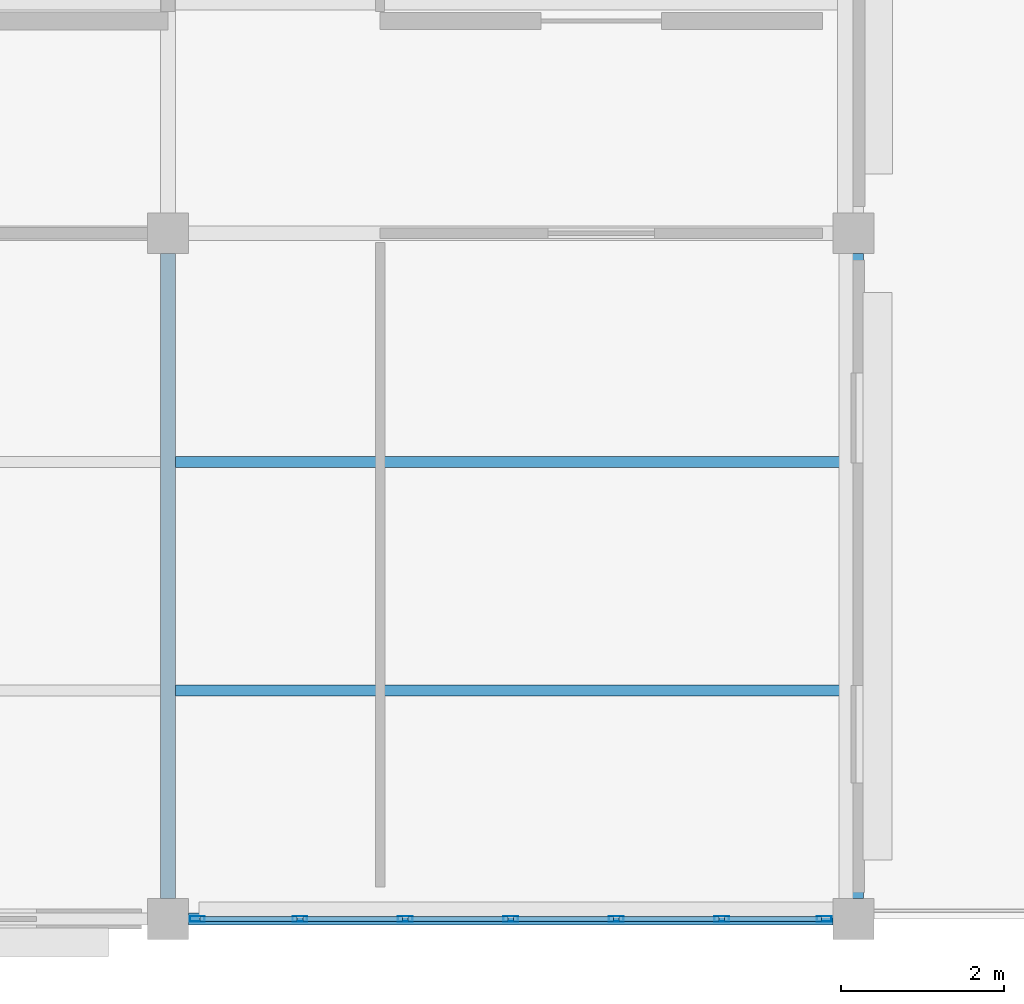
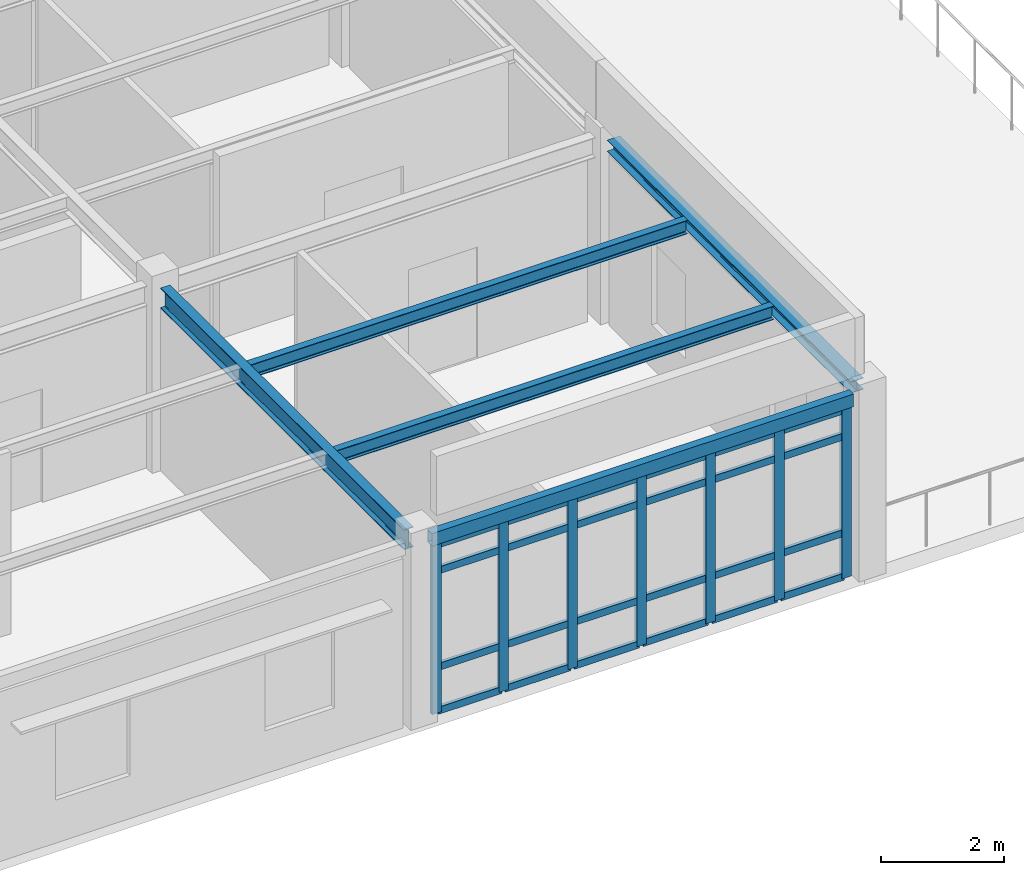
# One storey, part 6 of 53: 31 members, 5 beams, 1 element without a shape of its own.
"""IFC4 building model written with IfcOpenShell, lengths in metres."""

from ifc_helpers import new_model, si_unit, direction, frame, origin, origin_2d, place, context, subcontext, project, spatial, hollow_rectangle, i_section, extrude, material, layer, layer_set, material_profile, profile_set, type_object, element, aggregate, save


model = new_model("IFC4")

# Units and contexts
model_context = context("Model", 3, precision=1e-05, world=origin(), true_north=direction((0.0, 1.0)))
body_context = subcontext(model_context, "Body", "Model", "MODEL_VIEW")
ifc_project = project(units=[si_unit("LENGTHUNIT", "METRE"), si_unit("AREAUNIT", "SQUARE_METRE"), si_unit("VOLUMEUNIT", "CUBIC_METRE"), si_unit("PLANEANGLEUNIT", "RADIAN"), si_unit("MASSUNIT", "GRAM", prefix="KILO")], contexts=[model_context])

# Site, building, storey
site_placement = place(None, origin())
site = spatial("IfcSite", under=ifc_project, at=site_placement, CompositionType="ELEMENT")
building_placement = place(site_placement, origin())
building = spatial("IfcBuilding", under=site, at=building_placement, Name="Bramfleet General Hospital", CompositionType="ELEMENT")
storey_placement = place(building_placement, frame((0.0, 0.0, 26.39990234375)))
storey = spatial("IfcBuildingStorey", under=building, at=storey_placement, Name="L06", CompositionType="ELEMENT", Elevation=26.39990234375)

# Beams
ifc_material_1 = material(Name="Steel S355", Category="steel")
ifc_material_profile_1 = material_profile(ifc_material_1, i_section(OverallWidth=0.239990234375, OverallDepth=0.22998046875, WebThickness=0.007568359375, FlangeThickness=0.011962890625, FilletRadius=0.02099609375, at=origin_2d()), Name="HEA 240")
ifc_profile_set_1 = profile_set([ifc_material_profile_1], Name="Steel S355")
beam_type_1 = type_object("IfcBeamType", Name="BM-HEA240", PredefinedType="SPANDREL", material=ifc_profile_set_1)
beam_1_placement = place(storey_placement, frame((142.800048828125, 0.25, 3.505126953125), z_axis=(0.0, 1.0, 0.0), x_axis=(-1.0, 0.0, 0.0)))
element("IfcBeam", 1, at=beam_1_placement, inside=storey, type_object=beam_type_1, Name="L06 Grid Beam Y 17-00", PredefinedType="SPANDREL", context=body_context, shape_type="SweptSolid", body=[
    extrude(i_section(OverallWidth=0.239990234375, OverallDepth=0.22998046875, WebThickness=0.007568359375, FlangeThickness=0.011962890625, FilletRadius=0.02099609375, at=origin_2d()), origin(), (0.0, 0.0, 1.0), 7.89990234375),
])
ifc_material_profile_2 = material_profile(ifc_material_1, i_section(OverallWidth=0.135009765625, OverallDepth=0.27001953125, WebThickness=0.006591796875, FlangeThickness=0.01025390625, FilletRadius=0.014892578125, at=origin_2d()), Name="IPE 270")
ifc_profile_set_2 = profile_set([ifc_material_profile_2], Name="Steel S355")
beam_type_2 = type_object("IfcBeamType", Name="BM-IPE270", PredefinedType="JOIST", material=ifc_profile_set_2)
for number, where, z_axis, x_axis, name in (
    (2, (134.489990234375, 2.800048828125, 3.485107421875), (1.0, 0.0, 0.0), (0.0, 1.0, 0.0), "L06 Secondary Joist 16-00-1"),
    (3, (134.489990234375, 5.60009765625, 3.485107421875), (1.0, 0.0, 0.0), (0.0, 1.0, 0.0), "L06 Secondary Joist 16-00-2"),
):
    element("IfcBeam", number, at=place(storey_placement, frame(where, z_axis=z_axis, x_axis=x_axis)), inside=storey, type_object=beam_type_2, Name=name, PredefinedType="JOIST", context=body_context, shape_type="SweptSolid", body=[
        extrude(i_section(OverallWidth=0.135009765625, OverallDepth=0.27001953125, WebThickness=0.006591796875, FlangeThickness=0.01025390625, FilletRadius=0.014892578125, at=origin_2d()), origin(), (0.0, 0.0, 1.0), 8.18994140625),
    ])
ifc_material_profile_3 = material_profile(ifc_material_1, i_section(OverallWidth=0.179931640625, OverallDepth=0.39990234375, WebThickness=0.008544921875, FlangeThickness=0.013427734375, FilletRadius=0.02099609375, at=origin_2d()), Name="IPE 400")
ifc_profile_set_3 = profile_set([ifc_material_profile_3], Name="Steel S355")
beam_type_3 = type_object("IfcBeamType", Name="BM-IPE400", PredefinedType="BEAM", material=ifc_profile_set_3)
beam_2_placement = place(storey_placement, frame((134.39990234375, 0.25, 3.420166015625), z_axis=(0.0, 1.0, 0.0), x_axis=(-1.0, 0.0, 0.0)))
element("IfcBeam", 4, at=beam_2_placement, inside=storey, type_object=beam_type_3, Name="L06 Grid Beam Y 16-00", PredefinedType="BEAM", context=body_context, shape_type="SweptSolid", body=[
    extrude(i_section(OverallWidth=0.179931640625, OverallDepth=0.39990234375, WebThickness=0.008544921875, FlangeThickness=0.013427734375, FilletRadius=0.02099609375, at=origin_2d()), origin(), (0.0, 0.0, 1.0), 7.89990234375),
])
ifc_material_profile_4 = material_profile(ifc_material_1, hollow_rectangle(XDim=0.14990234375, YDim=0.25, WallThickness=0.010009765625, at=origin_2d()), Name="RHS 250x150x10.0")
ifc_profile_set_4 = profile_set([ifc_material_profile_4], Name="Steel S355")
beam_type_4 = type_object("IfcBeamType", Name="BM-RHS250", PredefinedType="SPANDREL", material=ifc_profile_set_4)
beam_3_placement = place(storey_placement, frame((134.64990234375, 0.0, 3.4951171875), z_axis=(1.0, 0.0, 0.0), x_axis=(0.0, 1.0, 0.0)))
element("IfcBeam", 5, at=beam_3_placement, inside=storey, type_object=beam_type_4, Name="L06 Grid Beam X 16-00", PredefinedType="SPANDREL", context=body_context, shape_type="SweptSolid", body=[
    extrude(hollow_rectangle(XDim=0.14990234375, YDim=0.25, WallThickness=0.010009765625, at=origin_2d()), origin(), (0.0, 0.0, 1.0), 7.900146484375),
])

# Curtain wall, members
ifc_material_2 = material(Name="Anodised aluminium and low-E triple glazing", Category="aluminium")
ifc_layer = layer(ifc_material_2, 0.179931640625, Name="CWT-CW-04")
ifc_layer_set = layer_set([ifc_layer], Name="Anodised aluminium and low-E triple glazing")
curtain_wall_type = type_object("IfcCurtainWallType", Name="CWT-CW-04", PredefinedType="USERDEFINED", material=ifc_layer_set)
curtain_wall_placement = place(storey_placement, origin())
curtain_wall = element("IfcCurtainWall", 6, at=curtain_wall_placement, inside=storey, type_object=curtain_wall_type, Name="L06 Curtain Wall 220", ObjectType="Unitised curtain wall", PredefinedType="USERDEFINED")
ifc_material_3 = material(Name="Anodised aluminium EN AW-6060", Category="aluminium")
ifc_material_profile_5 = material_profile(ifc_material_3, hollow_rectangle(XDim=0.070068359375, YDim=0.179931640625, WallThickness=0.00390625, at=origin_2d()), Name="ALU 180x70x4.0")
ifc_profile_set_5 = profile_set([ifc_material_profile_5], Name="Anodised aluminium EN AW-6060")
member_type_1 = type_object("IfcMemberType", Name="CWM-ALU180", PredefinedType="MULLION", material=ifc_profile_set_5)
member_1_placement = place(storey_placement, frame((142.43994140625, 0.0, 0.0), z_axis=(0.0, 0.0, 1.0), x_axis=(0.0, -1.0, 0.0)))
member_1 = element("IfcMember", 7, at=member_1_placement, type_object=member_type_1, Name="CW-04 mullion 1", PredefinedType="MULLION", context=body_context, shape_type="SweptSolid", body=[
    extrude(hollow_rectangle(XDim=0.070068359375, YDim=0.179931640625, WallThickness=0.00390625, at=origin_2d()), origin(), (0.0, 0.0, 1.0), 3.360107421875),
])
member_2_placement = place(storey_placement, frame((141.183349609375, 0.0, 0.0), z_axis=(0.0, 0.0, 1.0), x_axis=(0.0, -1.0, 0.0)))
member_2 = element("IfcMember", 8, at=member_2_placement, type_object=member_type_1, Name="CW-04 mullion 2", PredefinedType="MULLION", context=body_context, shape_type="SweptSolid", body=[
    extrude(hollow_rectangle(XDim=0.070068359375, YDim=0.179931640625, WallThickness=0.00390625, at=origin_2d()), origin(), (0.0, 0.0, 1.0), 3.360107421875),
])
member_3_placement = place(storey_placement, frame((139.8916015625, 0.0, 0.0), z_axis=(0.0, 0.0, 1.0), x_axis=(0.0, -1.0, 0.0)))
member_3 = element("IfcMember", 9, at=member_3_placement, type_object=member_type_1, Name="CW-04 mullion 3", PredefinedType="MULLION", context=body_context, shape_type="SweptSolid", body=[
    extrude(hollow_rectangle(XDim=0.070068359375, YDim=0.179931640625, WallThickness=0.00390625, at=origin_2d()), origin(), (0.0, 0.0, 1.0), 3.360107421875),
])
member_4_placement = place(storey_placement, frame((138.60009765625, 0.0, 0.0), z_axis=(0.0, 0.0, 1.0), x_axis=(0.0, -1.0, 0.0)))
member_4 = element("IfcMember", 10, at=member_4_placement, type_object=member_type_1, Name="CW-04 mullion 4", PredefinedType="MULLION", context=body_context, shape_type="SweptSolid", body=[
    extrude(hollow_rectangle(XDim=0.070068359375, YDim=0.179931640625, WallThickness=0.00390625, at=origin_2d()), origin(), (0.0, 0.0, 1.0), 3.360107421875),
])
member_5_placement = place(storey_placement, frame((137.308349609375, 0.0, 0.0), z_axis=(0.0, 0.0, 1.0), x_axis=(0.0, -1.0, 0.0)))
member_5 = element("IfcMember", 11, at=member_5_placement, type_object=member_type_1, Name="CW-04 mullion 5", PredefinedType="MULLION", context=body_context, shape_type="SweptSolid", body=[
    extrude(hollow_rectangle(XDim=0.070068359375, YDim=0.179931640625, WallThickness=0.00390625, at=origin_2d()), origin(), (0.0, 0.0, 1.0), 3.360107421875),
])
member_6_placement = place(storey_placement, frame((136.0166015625, 0.0, 0.0), z_axis=(0.0, 0.0, 1.0), x_axis=(0.0, -1.0, 0.0)))
member_6 = element("IfcMember", 12, at=member_6_placement, type_object=member_type_1, Name="CW-04 mullion 6", PredefinedType="MULLION", context=body_context, shape_type="SweptSolid", body=[
    extrude(hollow_rectangle(XDim=0.070068359375, YDim=0.179931640625, WallThickness=0.00390625, at=origin_2d()), origin(), (0.0, 0.0, 1.0), 3.360107421875),
])
member_7_placement = place(storey_placement, frame((134.760009765625, 0.0, 0.0), z_axis=(0.0, 0.0, 1.0), x_axis=(0.0, -1.0, 0.0)))
member_7 = element("IfcMember", 13, at=member_7_placement, type_object=member_type_1, Name="CW-04 mullion 7", PredefinedType="MULLION", context=body_context, shape_type="SweptSolid", body=[
    extrude(hollow_rectangle(XDim=0.070068359375, YDim=0.179931640625, WallThickness=0.00390625, at=origin_2d()), origin(), (0.0, 0.0, 1.0), 3.360107421875),
])
ifc_material_profile_6 = material_profile(ifc_material_3, hollow_rectangle(XDim=0.06494140625, YDim=0.139892578125, WallThickness=0.00390625, at=origin_2d()), Name="ALU 140x65x4.0")
ifc_profile_set_6 = profile_set([ifc_material_profile_6], Name="Anodised aluminium EN AW-6060")
member_type_2 = type_object("IfcMemberType", Name="CWT-ALU140", PredefinedType="USERDEFINED", material=ifc_profile_set_6)
member_8_placement = place(storey_placement, frame((142.405029296875, 0.0, 0.03271484375), z_axis=(-1.0, 0.0, 0.0), x_axis=(0.0, -1.0, 0.0)))
member_8 = element("IfcMember", 14, at=member_8_placement, type_object=member_type_2, Name="CW-04 transom 1.1", ObjectType="TRANSOM", PredefinedType="USERDEFINED", context=body_context, shape_type="SweptSolid", body=[
    extrude(hollow_rectangle(XDim=0.06494140625, YDim=0.139892578125, WallThickness=0.00390625, at=origin_2d()), origin(), (0.0, 0.0, 1.0), 1.186767578125),
])
member_9_placement = place(storey_placement, frame((142.405029296875, 0.0, 0.900146484375), z_axis=(-1.0, 0.0, 0.0), x_axis=(0.0, -1.0, 0.0)))
member_9 = element("IfcMember", 15, at=member_9_placement, type_object=member_type_2, Name="CW-04 transom 1.2", ObjectType="TRANSOM", PredefinedType="USERDEFINED", context=body_context, shape_type="SweptSolid", body=[
    extrude(hollow_rectangle(XDim=0.06494140625, YDim=0.139892578125, WallThickness=0.00390625, at=origin_2d()), origin(), (0.0, 0.0, 1.0), 1.186767578125),
])
member_10_placement = place(storey_placement, frame((142.405029296875, 0.0, 2.81005859375), z_axis=(-1.0, 0.0, 0.0), x_axis=(0.0, -1.0, 0.0)))
member_10 = element("IfcMember", 16, at=member_10_placement, type_object=member_type_2, Name="CW-04 transom 1.3", ObjectType="TRANSOM", PredefinedType="USERDEFINED", context=body_context, shape_type="SweptSolid", body=[
    extrude(hollow_rectangle(XDim=0.06494140625, YDim=0.139892578125, WallThickness=0.00390625, at=origin_2d()), origin(), (0.0, 0.0, 1.0), 1.186767578125),
])
member_11_placement = place(storey_placement, frame((142.405029296875, 0.0, 3.32763671875), z_axis=(-1.0, 0.0, 0.0), x_axis=(0.0, -1.0, 0.0)))
member_11 = element("IfcMember", 17, at=member_11_placement, type_object=member_type_2, Name="CW-04 transom 1.4", ObjectType="TRANSOM", PredefinedType="USERDEFINED", context=body_context, shape_type="SweptSolid", body=[
    extrude(hollow_rectangle(XDim=0.06494140625, YDim=0.139892578125, WallThickness=0.00390625, at=origin_2d()), origin(), (0.0, 0.0, 1.0), 1.186767578125),
])
member_12_placement = place(storey_placement, frame((141.1484375, 0.0, 0.03271484375), z_axis=(-1.0, 0.0, 0.0), x_axis=(0.0, -1.0, 0.0)))
member_12 = element("IfcMember", 18, at=member_12_placement, type_object=member_type_2, Name="CW-04 transom 2.1", ObjectType="TRANSOM", PredefinedType="USERDEFINED", context=body_context, shape_type="SweptSolid", body=[
    extrude(hollow_rectangle(XDim=0.06494140625, YDim=0.139892578125, WallThickness=0.00390625, at=origin_2d()), origin(), (0.0, 0.0, 1.0), 1.2216796875),
])
member_13_placement = place(storey_placement, frame((141.1484375, 0.0, 0.900146484375), z_axis=(-1.0, 0.0, 0.0), x_axis=(0.0, -1.0, 0.0)))
member_13 = element("IfcMember", 19, at=member_13_placement, type_object=member_type_2, Name="CW-04 transom 2.2", ObjectType="TRANSOM", PredefinedType="USERDEFINED", context=body_context, shape_type="SweptSolid", body=[
    extrude(hollow_rectangle(XDim=0.06494140625, YDim=0.139892578125, WallThickness=0.00390625, at=origin_2d()), origin(), (0.0, 0.0, 1.0), 1.2216796875),
])
member_14_placement = place(storey_placement, frame((141.1484375, 0.0, 2.81005859375), z_axis=(-1.0, 0.0, 0.0), x_axis=(0.0, -1.0, 0.0)))
member_14 = element("IfcMember", 20, at=member_14_placement, type_object=member_type_2, Name="CW-04 transom 2.3", ObjectType="TRANSOM", PredefinedType="USERDEFINED", context=body_context, shape_type="SweptSolid", body=[
    extrude(hollow_rectangle(XDim=0.06494140625, YDim=0.139892578125, WallThickness=0.00390625, at=origin_2d()), origin(), (0.0, 0.0, 1.0), 1.2216796875),
])
member_15_placement = place(storey_placement, frame((141.1484375, 0.0, 3.32763671875), z_axis=(-1.0, 0.0, 0.0), x_axis=(0.0, -1.0, 0.0)))
member_15 = element("IfcMember", 21, at=member_15_placement, type_object=member_type_2, Name="CW-04 transom 2.4", ObjectType="TRANSOM", PredefinedType="USERDEFINED", context=body_context, shape_type="SweptSolid", body=[
    extrude(hollow_rectangle(XDim=0.06494140625, YDim=0.139892578125, WallThickness=0.00390625, at=origin_2d()), origin(), (0.0, 0.0, 1.0), 1.2216796875),
])
member_16_placement = place(storey_placement, frame((139.856689453125, 0.0, 0.03271484375), z_axis=(-1.0, 0.0, 0.0), x_axis=(0.0, -1.0, 0.0)))
member_16 = element("IfcMember", 22, at=member_16_placement, type_object=member_type_2, Name="CW-04 transom 3.1", ObjectType="TRANSOM", PredefinedType="USERDEFINED", context=body_context, shape_type="SweptSolid", body=[
    extrude(hollow_rectangle(XDim=0.06494140625, YDim=0.139892578125, WallThickness=0.00390625, at=origin_2d()), origin(), (0.0, 0.0, 1.0), 1.2216796875),
])
member_17_placement = place(storey_placement, frame((139.856689453125, 0.0, 0.900146484375), z_axis=(-1.0, 0.0, 0.0), x_axis=(0.0, -1.0, 0.0)))
member_17 = element("IfcMember", 23, at=member_17_placement, type_object=member_type_2, Name="CW-04 transom 3.2", ObjectType="TRANSOM", PredefinedType="USERDEFINED", context=body_context, shape_type="SweptSolid", body=[
    extrude(hollow_rectangle(XDim=0.06494140625, YDim=0.139892578125, WallThickness=0.00390625, at=origin_2d()), origin(), (0.0, 0.0, 1.0), 1.2216796875),
])
member_18_placement = place(storey_placement, frame((139.856689453125, 0.0, 2.81005859375), z_axis=(-1.0, 0.0, 0.0), x_axis=(0.0, -1.0, 0.0)))
member_18 = element("IfcMember", 24, at=member_18_placement, type_object=member_type_2, Name="CW-04 transom 3.3", ObjectType="TRANSOM", PredefinedType="USERDEFINED", context=body_context, shape_type="SweptSolid", body=[
    extrude(hollow_rectangle(XDim=0.06494140625, YDim=0.139892578125, WallThickness=0.00390625, at=origin_2d()), origin(), (0.0, 0.0, 1.0), 1.2216796875),
])
member_19_placement = place(storey_placement, frame((139.856689453125, 0.0, 3.32763671875), z_axis=(-1.0, 0.0, 0.0), x_axis=(0.0, -1.0, 0.0)))
member_19 = element("IfcMember", 25, at=member_19_placement, type_object=member_type_2, Name="CW-04 transom 3.4", ObjectType="TRANSOM", PredefinedType="USERDEFINED", context=body_context, shape_type="SweptSolid", body=[
    extrude(hollow_rectangle(XDim=0.06494140625, YDim=0.139892578125, WallThickness=0.00390625, at=origin_2d()), origin(), (0.0, 0.0, 1.0), 1.2216796875),
])
member_20_placement = place(storey_placement, frame((138.56494140625, 0.0, 0.03271484375), z_axis=(-1.0, 0.0, 0.0), x_axis=(0.0, -1.0, 0.0)))
member_20 = element("IfcMember", 26, at=member_20_placement, type_object=member_type_2, Name="CW-04 transom 4.1", ObjectType="TRANSOM", PredefinedType="USERDEFINED", context=body_context, shape_type="SweptSolid", body=[
    extrude(hollow_rectangle(XDim=0.06494140625, YDim=0.139892578125, WallThickness=0.00390625, at=origin_2d()), origin(), (0.0, 0.0, 1.0), 1.2216796875),
])
member_21_placement = place(storey_placement, frame((138.56494140625, 0.0, 0.900146484375), z_axis=(-1.0, 0.0, 0.0), x_axis=(0.0, -1.0, 0.0)))
member_21 = element("IfcMember", 27, at=member_21_placement, type_object=member_type_2, Name="CW-04 transom 4.2", ObjectType="TRANSOM", PredefinedType="USERDEFINED", context=body_context, shape_type="SweptSolid", body=[
    extrude(hollow_rectangle(XDim=0.06494140625, YDim=0.139892578125, WallThickness=0.00390625, at=origin_2d()), origin(), (0.0, 0.0, 1.0), 1.2216796875),
])
member_22_placement = place(storey_placement, frame((138.56494140625, 0.0, 2.81005859375), z_axis=(-1.0, 0.0, 0.0), x_axis=(0.0, -1.0, 0.0)))
member_22 = element("IfcMember", 28, at=member_22_placement, type_object=member_type_2, Name="CW-04 transom 4.3", ObjectType="TRANSOM", PredefinedType="USERDEFINED", context=body_context, shape_type="SweptSolid", body=[
    extrude(hollow_rectangle(XDim=0.06494140625, YDim=0.139892578125, WallThickness=0.00390625, at=origin_2d()), origin(), (0.0, 0.0, 1.0), 1.2216796875),
])
member_23_placement = place(storey_placement, frame((138.56494140625, 0.0, 3.32763671875), z_axis=(-1.0, 0.0, 0.0), x_axis=(0.0, -1.0, 0.0)))
member_23 = element("IfcMember", 29, at=member_23_placement, type_object=member_type_2, Name="CW-04 transom 4.4", ObjectType="TRANSOM", PredefinedType="USERDEFINED", context=body_context, shape_type="SweptSolid", body=[
    extrude(hollow_rectangle(XDim=0.06494140625, YDim=0.139892578125, WallThickness=0.00390625, at=origin_2d()), origin(), (0.0, 0.0, 1.0), 1.2216796875),
])
member_24_placement = place(storey_placement, frame((137.2734375, 0.0, 0.03271484375), z_axis=(-1.0, 0.0, 0.0), x_axis=(0.0, -1.0, 0.0)))
member_24 = element("IfcMember", 30, at=member_24_placement, type_object=member_type_2, Name="CW-04 transom 5.1", ObjectType="TRANSOM", PredefinedType="USERDEFINED", context=body_context, shape_type="SweptSolid", body=[
    extrude(hollow_rectangle(XDim=0.06494140625, YDim=0.139892578125, WallThickness=0.00390625, at=origin_2d()), origin(), (0.0, 0.0, 1.0), 1.2216796875),
])
member_25_placement = place(storey_placement, frame((137.2734375, 0.0, 0.900146484375), z_axis=(-1.0, 0.0, 0.0), x_axis=(0.0, -1.0, 0.0)))
member_25 = element("IfcMember", 31, at=member_25_placement, type_object=member_type_2, Name="CW-04 transom 5.2", ObjectType="TRANSOM", PredefinedType="USERDEFINED", context=body_context, shape_type="SweptSolid", body=[
    extrude(hollow_rectangle(XDim=0.06494140625, YDim=0.139892578125, WallThickness=0.00390625, at=origin_2d()), origin(), (0.0, 0.0, 1.0), 1.2216796875),
])
member_26_placement = place(storey_placement, frame((137.2734375, 0.0, 2.81005859375), z_axis=(-1.0, 0.0, 0.0), x_axis=(0.0, -1.0, 0.0)))
member_26 = element("IfcMember", 32, at=member_26_placement, type_object=member_type_2, Name="CW-04 transom 5.3", ObjectType="TRANSOM", PredefinedType="USERDEFINED", context=body_context, shape_type="SweptSolid", body=[
    extrude(hollow_rectangle(XDim=0.06494140625, YDim=0.139892578125, WallThickness=0.00390625, at=origin_2d()), origin(), (0.0, 0.0, 1.0), 1.2216796875),
])
member_27_placement = place(storey_placement, frame((137.2734375, 0.0, 3.32763671875), z_axis=(-1.0, 0.0, 0.0), x_axis=(0.0, -1.0, 0.0)))
member_27 = element("IfcMember", 33, at=member_27_placement, type_object=member_type_2, Name="CW-04 transom 5.4", ObjectType="TRANSOM", PredefinedType="USERDEFINED", context=body_context, shape_type="SweptSolid", body=[
    extrude(hollow_rectangle(XDim=0.06494140625, YDim=0.139892578125, WallThickness=0.00390625, at=origin_2d()), origin(), (0.0, 0.0, 1.0), 1.2216796875),
])
member_28_placement = place(storey_placement, frame((135.981689453125, 0.0, 0.03271484375), z_axis=(-1.0, 0.0, 0.0), x_axis=(0.0, -1.0, 0.0)))
member_28 = element("IfcMember", 34, at=member_28_placement, type_object=member_type_2, Name="CW-04 transom 6.1", ObjectType="TRANSOM", PredefinedType="USERDEFINED", context=body_context, shape_type="SweptSolid", body=[
    extrude(hollow_rectangle(XDim=0.06494140625, YDim=0.139892578125, WallThickness=0.00390625, at=origin_2d()), origin(), (0.0, 0.0, 1.0), 1.186767578125),
])
member_29_placement = place(storey_placement, frame((135.981689453125, 0.0, 0.900146484375), z_axis=(-1.0, 0.0, 0.0), x_axis=(0.0, -1.0, 0.0)))
member_29 = element("IfcMember", 35, at=member_29_placement, type_object=member_type_2, Name="CW-04 transom 6.2", ObjectType="TRANSOM", PredefinedType="USERDEFINED", context=body_context, shape_type="SweptSolid", body=[
    extrude(hollow_rectangle(XDim=0.06494140625, YDim=0.139892578125, WallThickness=0.00390625, at=origin_2d()), origin(), (0.0, 0.0, 1.0), 1.186767578125),
])
member_30_placement = place(storey_placement, frame((135.981689453125, 0.0, 2.81005859375), z_axis=(-1.0, 0.0, 0.0), x_axis=(0.0, -1.0, 0.0)))
member_30 = element("IfcMember", 36, at=member_30_placement, type_object=member_type_2, Name="CW-04 transom 6.3", ObjectType="TRANSOM", PredefinedType="USERDEFINED", context=body_context, shape_type="SweptSolid", body=[
    extrude(hollow_rectangle(XDim=0.06494140625, YDim=0.139892578125, WallThickness=0.00390625, at=origin_2d()), origin(), (0.0, 0.0, 1.0), 1.186767578125),
])
member_31_placement = place(storey_placement, frame((135.981689453125, 0.0, 3.32763671875), z_axis=(-1.0, 0.0, 0.0), x_axis=(0.0, -1.0, 0.0)))
member_31 = element("IfcMember", 37, at=member_31_placement, type_object=member_type_2, Name="CW-04 transom 6.4", ObjectType="TRANSOM", PredefinedType="USERDEFINED", context=body_context, shape_type="SweptSolid", body=[
    extrude(hollow_rectangle(XDim=0.06494140625, YDim=0.139892578125, WallThickness=0.00390625, at=origin_2d()), origin(), (0.0, 0.0, 1.0), 1.186767578125),
])
aggregate(curtain_wall, [member_1, member_2, member_3, member_4, member_5, member_6, member_7, member_8, member_9, member_10, member_11, member_12, member_13, member_14, member_15, member_16, member_17, member_18, member_19, member_20, member_21, member_22, member_23, member_24, member_25, member_26, member_27, member_28, member_29, member_30, member_31])

save(model, "model.ifc")
